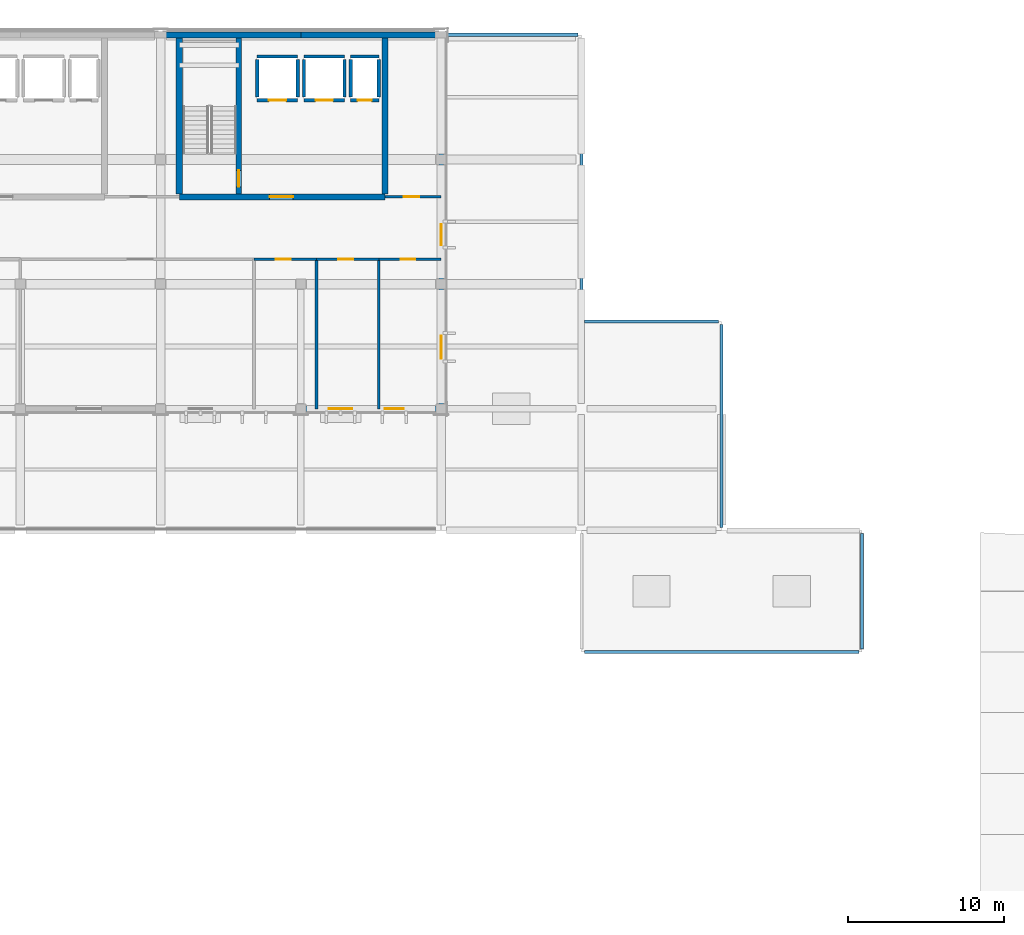
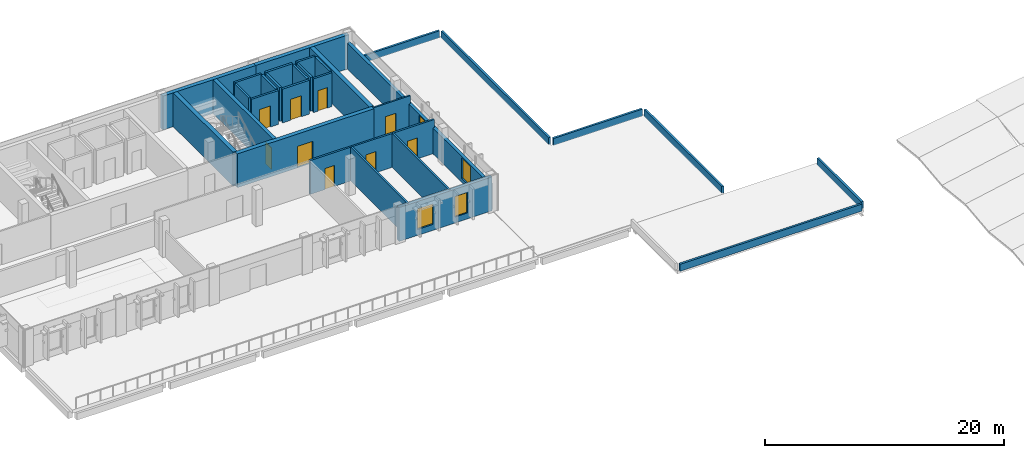
# One storey, part 13 of 23: 32 walls, 9 doors, 4 windows, 13 openings.
"""IFC4 building model written with IfcOpenShell, lengths in metres."""

from ifc_helpers import new_model, si_unit, direction, frame, frame_2d, origin, place, context, subcontext, project, spatial, rectangle, extrude, material, layer, layer_set, type_object, element, fill, save


model = new_model("IFC4")

# Units and contexts
model_context = context("Model", 3, precision=1e-05, world=origin(), true_north=direction((0.0, 1.0)))
body_context = subcontext(model_context, "Body", "Model", "MODEL_VIEW")
ifc_project = project(units=[si_unit("LENGTHUNIT", "METRE"), si_unit("AREAUNIT", "SQUARE_METRE"), si_unit("VOLUMEUNIT", "CUBIC_METRE"), si_unit("PLANEANGLEUNIT", "RADIAN"), si_unit("MASSUNIT", "GRAM", prefix="KILO")], contexts=[model_context])

# Site, building, storey
site_placement = place(None, origin())
site = spatial("IfcSite", under=ifc_project, at=site_placement, CompositionType="ELEMENT")
building_placement = place(site_placement, origin())
building = spatial("IfcBuilding", under=site, at=building_placement, Name="Vervanel Yard Central Library", CompositionType="ELEMENT")
storey_placement = place(building_placement, frame((0.0, 0.0, 16.52001953125)))
storey = spatial("IfcBuildingStorey", under=building, at=storey_placement, Name="L04", CompositionType="ELEMENT", Elevation=16.52001953125)

# Wall, openings, windows
ifc_material_1 = material(Name="Precast concrete C45/55", Category="concrete")
ifc_layer_1 = layer(ifc_material_1, 0.300048828125, Category="concrete")
ifc_layer_set_1 = layer_set([ifc_layer_1], Name="Precast concrete C45/55")
wall_type_1 = type_object("IfcWallType", Name="Bush-Hammered Precast Cladding Wall 300", PredefinedType="SOLIDWALL", material=ifc_layer_set_1)
wall_1_placement = place(storey_placement, frame((81.0, 90.0, 0.0), z_axis=(0.0, 0.0, 1.0), x_axis=(0.0, 1.0, 0.0)))
wall_1 = element("IfcWall", 1, at=wall_1_placement, inside=storey, type_object=wall_type_1, Name="L04 Bush-Hammered Precast Cladding Wall 300 EWALL-L04-0071", PredefinedType="SOLIDWALL", context=body_context, shape_type="SweptSolid", body=[
    extrude(rectangle(XDim=24.0, YDim=0.300048828125, at=frame_2d((12.0, 0.0))), origin(), (0.0, 0.0, 1.0), 2.64990234375),
])
opening_1_placement = place(wall_1_placement, frame((3.199951171875, 0.0, 0.429931640625)))
opening_1 = element("IfcOpeningElement", 2, at=opening_1_placement, cuts=wall_1, Name="Opening WN-02", PredefinedType="OPENING", context=body_context, shape_type="SweptSolid", body=[
    extrude(rectangle(XDim=1.5, YDim=2.10009765625, at=frame_2d((0.75, 1.050048828125))), frame((0.0, 0.159912109375, 0.0), z_axis=(0.0, -1.0, 0.0), x_axis=(1.0, 0.0, 0.0)), (0.0, 0.0, 1.0), 0.320068359375),
])
opening_2_placement = place(wall_1_placement, frame((10.5, 0.0, 0.679931640625)))
opening_2 = element("IfcOpeningElement", 3, at=opening_2_placement, cuts=wall_1, Name="Opening WN-17", PredefinedType="OPENING", context=body_context, shape_type="SweptSolid", body=[
    extrude(rectangle(XDim=1.35009765625, YDim=1.85009765625, at=frame_2d((0.675048828125, 0.925048828125))), frame((0.0, 0.159912109375, 0.0), z_axis=(0.0, -1.0, 0.0), x_axis=(1.0, 0.0, 0.0)), (0.0, 0.0, 1.0), 0.320068359375),
])
ifc_material_2 = material(Name="Double low-E laminated solar-control glass", Category="glass")
window_type_1 = type_object("IfcWindowType", Name="Archive Office Window 1350x1850", PartitioningType="SINGLE_PANEL", PredefinedType="WINDOW", material=ifc_material_2)
window_1_placement = place(opening_2_placement, origin())
window_1 = element("IfcWindow", 4, at=window_1_placement, inside=storey, type_object=window_type_1, Name="L04 Archive Office Window 1350x1850 99", OverallHeight=1.85009765625, OverallWidth=1.35009765625, PartitioningType="SINGLE_PANEL", PredefinedType="WINDOW", context=body_context, shape_type="SweptSolid", body=[
    extrude(rectangle(XDim=1.35009765625, YDim=1.85009765625, at=frame_2d((0.675048828125, 0.925048828125))), frame((0.0, 0.030029296875, 0.0), z_axis=(0.0, -1.0, 0.0), x_axis=(1.0, 0.0, 0.0)), (0.0, 0.0, 1.0), 0.06005859375),
])
fill(opening_2, window_1)
window_type_2 = type_object("IfcWindowType", Name="Reading Bay Window 1500x2100", PartitioningType="SINGLE_PANEL", PredefinedType="WINDOW", material=ifc_material_2)
window_2_placement = place(opening_1_placement, origin())
window_2 = element("IfcWindow", 5, at=window_2_placement, inside=storey, type_object=window_type_2, Name="L04 Reading Bay Window 1500x2100 98", OverallHeight=2.10009765625, OverallWidth=1.5, PartitioningType="SINGLE_PANEL", PredefinedType="WINDOW", context=body_context, shape_type="SweptSolid", body=[
    extrude(rectangle(XDim=1.5, YDim=2.10009765625, at=frame_2d((0.75, 1.050048828125))), frame((0.0, 0.030029296875, 0.0), z_axis=(0.0, -1.0, 0.0), x_axis=(1.0, 0.0, 0.0)), (0.0, 0.0, 1.0), 0.06005859375),
])
fill(opening_1, window_2)

# Wall, opening, door
ifc_material_3 = material(Name="Concrete C45/55", Category="concrete")
ifc_layer_2 = layer(ifc_material_3, 0.39990234375, Category="concrete")
ifc_layer_set_2 = layer_set([ifc_layer_2], Name="Concrete C45/55")
wall_type_2 = type_object("IfcWallType", Name="Core Primary Shear Wall 400", PredefinedType="SHEAR", material=ifc_layer_set_2)
wall_2_placement = place(storey_placement, frame((64.199951171875, 103.60009765625, 0.0), z_axis=(0.0, 0.0, 1.0), x_axis=(1.0, 0.0, 0.0)))
wall_2 = element("IfcWall", 6, at=wall_2_placement, inside=storey, type_object=wall_type_2, Name="L04 CORE-B Shear Wall S", PredefinedType="SHEAR", context=body_context, shape_type="SweptSolid", body=[
    extrude(rectangle(XDim=13.199951171875, YDim=0.39990234375, at=frame_2d((6.60009765625, 0.0))), origin(), (0.0, 0.0, 1.0), 3.4599609375),
])
opening_3_placement = place(wall_2_placement, frame((5.800048828125, 0.0, 0.0)))
opening_3 = element("IfcOpeningElement", 7, at=opening_3_placement, cuts=wall_2, Name="Opening DR-F02", PredefinedType="OPENING", context=body_context, shape_type="SweptSolid", body=[
    extrude(rectangle(XDim=1.5, YDim=2.199951171875, at=frame_2d((0.75, 1.10009765625))), frame((0.0, 0.2099609375, 0.0), z_axis=(0.0, -1.0, 0.0), x_axis=(1.0, 0.0, 0.0)), (0.0, 0.0, 1.0), 0.419921875),
])
ifc_material_4 = material(Name="Galvanized painted steelwork ASTM A500 Grade C", Category="steel")
door_type_1 = type_object("IfcDoorType", Name="Fire-Rated Lobby Door 1500x2200", OperationType="NOTDEFINED", PredefinedType="DOOR", material=ifc_material_4)
door_1_placement = place(opening_3_placement, origin())
door_1 = element("IfcDoor", 8, at=door_1_placement, inside=storey, type_object=door_type_1, Name="L04 CORE-B Lobby Fire Door", OperationType="DOUBLE_DOOR_SINGLE_SWING", OverallHeight=2.199951171875, OverallWidth=1.5, PredefinedType="DOOR", context=body_context, shape_type="SweptSolid", body=[
    extrude(rectangle(XDim=1.5, YDim=2.199951171875, at=frame_2d((0.75, 1.10009765625))), frame((0.0, 0.02490234375, 0.0), z_axis=(0.0, -1.0, 0.0), x_axis=(1.0, 0.0, 0.0)), (0.0, 0.0, 1.0), 0.050048828125),
])
fill(opening_3, door_1)

# Walls
for number, where, z_axis, x_axis, name in (
    (9, (64.199951171875, 103.800048828125, 0.0), (0.0, 0.0, 1.0), (0.0, 1.0, 0.0), "L04 CORE-B Shear Wall W"),
    (10, (77.39990234375, 103.800048828125, 0.0), (0.0, 0.0, 1.0), (0.0, 1.0, 0.0), "L04 CORE-B Shear Wall E"),
):
    element("IfcWall", number, at=place(storey_placement, frame(where, z_axis=z_axis, x_axis=x_axis)), inside=storey, type_object=wall_type_2, Name=name, PredefinedType="SHEAR", context=body_context, shape_type="SweptSolid", body=[
        extrude(rectangle(XDim=10.010009765625, YDim=0.39990234375, at=frame_2d((5.0048828125, 0.0))), origin(), (0.0, 0.0, 1.0), 3.4599609375),
    ])

# Wall, opening, door
ifc_layer_3 = layer(ifc_material_3, 0.35009765625, Category="concrete")
ifc_layer_set_3 = layer_set([ifc_layer_3], Name="Concrete C45/55")
wall_type_3 = type_object("IfcWallType", Name="Core Secondary Shear Wall 350", PredefinedType="SHEAR", material=ifc_layer_set_3)
wall_3_placement = place(storey_placement, frame((68.02490234375, 103.800048828125, 0.0), z_axis=(0.0, 0.0, 1.0), x_axis=(0.0, 1.0, 0.0)))
wall_3 = element("IfcWall", 11, at=wall_3_placement, inside=storey, type_object=wall_type_3, Name="L04 CORE-B Stair Shaft Wall", PredefinedType="SHEAR", context=body_context, shape_type="SweptSolid", body=[
    extrude(rectangle(XDim=10.010009765625, YDim=0.35009765625, at=frame_2d((5.0048828125, 0.0))), origin(), (0.0, 0.0, 1.0), 3.4599609375),
])
opening_4_placement = place(wall_3_placement, frame((0.449951171875, 0.0, 0.0)))
opening_4 = element("IfcOpeningElement", 12, at=opening_4_placement, cuts=wall_3, Name="Opening DR-F01", PredefinedType="OPENING", context=body_context, shape_type="SweptSolid", body=[
    extrude(rectangle(XDim=1.050048828125, YDim=2.199951171875, at=frame_2d((0.52490234375, 1.10009765625))), frame((0.0, 0.18505859375, 0.0), z_axis=(0.0, -1.0, 0.0), x_axis=(1.0, 0.0, 0.0)), (0.0, 0.0, 1.0), 0.3701171875),
])
door_type_2 = type_object("IfcDoorType", Name="Fire-Rated Stair Exit Door 1050x2200", OperationType="NOTDEFINED", PredefinedType="DOOR", material=ifc_material_4)
door_2_placement = place(opening_4_placement, origin())
door_2 = element("IfcDoor", 13, at=door_2_placement, inside=storey, type_object=door_type_2, Name="L04 CORE-B Stair Door", OperationType="SINGLE_SWING_LEFT", OverallHeight=2.199951171875, OverallWidth=1.050048828125, PredefinedType="DOOR", context=body_context, shape_type="SweptSolid", body=[
    extrude(rectangle(XDim=1.050048828125, YDim=2.199951171875, at=frame_2d((0.52490234375, 1.10009765625))), frame((0.0, 0.02490234375, 0.0), z_axis=(0.0, -1.0, 0.0), x_axis=(1.0, 0.0, 0.0)), (0.0, 0.0, 1.0), 0.050048828125),
])
fill(opening_4, door_2)

# Wall, openings, windows
ifc_layer_4 = layer(ifc_material_3, 0.340087890625, Category="concrete")
ifc_layer_set_4 = layer_set([ifc_layer_4], Name="Concrete C45/55")
wall_type_4 = type_object("IfcWallType", Name="Exterior Bearing Concrete Frame Wall 340", PredefinedType="SOLIDWALL", material=ifc_layer_set_4)
wall_4_placement = place(storey_placement, frame((72.0, 90.0, 0.0), z_axis=(0.0, 0.0, 1.0), x_axis=(1.0, 0.0, 0.0)))
wall_4 = element("IfcWall", 14, at=wall_4_placement, inside=storey, type_object=wall_type_4, Name="L04 Exterior Bearing Concrete Frame Wall 340 EWALL-L04-0069", PredefinedType="SOLIDWALL", context=body_context, shape_type="SweptSolid", body=[
    extrude(rectangle(XDim=9.0, YDim=0.340087890625, at=frame_2d((4.5, 0.0))), origin(), (0.0, 0.0, 1.0), 3.4599609375),
])
opening_5_placement = place(wall_4_placement, frame((1.800048828125, 0.0, 0.610107421875)))
opening_5 = element("IfcOpeningElement", 15, at=opening_5_placement, cuts=wall_4, Name="Opening WN-02", PredefinedType="OPENING", context=body_context, shape_type="SweptSolid", body=[
    extrude(rectangle(XDim=1.5, YDim=2.10009765625, at=frame_2d((0.75, 1.050048828125))), frame((0.0, 0.179931640625, 0.0), z_axis=(0.0, -1.0, 0.0), x_axis=(1.0, 0.0, 0.0)), (0.0, 0.0, 1.0), 0.360107421875),
])
opening_6_placement = place(wall_4_placement, frame((5.39990234375, 0.0, 0.610107421875)))
opening_6 = element("IfcOpeningElement", 16, at=opening_6_placement, cuts=wall_4, Name="Opening WN-01", PredefinedType="OPENING", context=body_context, shape_type="SweptSolid", body=[
    extrude(rectangle(XDim=1.199951171875, YDim=2.10009765625, at=frame_2d((0.60009765625, 1.050048828125))), frame((0.0, 0.179931640625, 0.0), z_axis=(0.0, -1.0, 0.0), x_axis=(1.0, 0.0, 0.0)), (0.0, 0.0, 1.0), 0.360107421875),
])
window_3_placement = place(opening_5_placement, origin())
window_3 = element("IfcWindow", 17, at=window_3_placement, inside=storey, type_object=window_type_2, Name="L04 Reading Bay Window 1500x2100 93", OverallHeight=2.10009765625, OverallWidth=1.5, PartitioningType="SINGLE_PANEL", PredefinedType="WINDOW", context=body_context, shape_type="SweptSolid", body=[
    extrude(rectangle(XDim=1.5, YDim=2.10009765625, at=frame_2d((0.75, 1.050048828125))), frame((0.0, 0.030029296875, 0.0), z_axis=(0.0, -1.0, 0.0), x_axis=(1.0, 0.0, 0.0)), (0.0, 0.0, 1.0), 0.06005859375),
])
fill(opening_5, window_3)
window_type_3 = type_object("IfcWindowType", Name="Reading Slot Window 1200x2100", PartitioningType="SINGLE_PANEL", PredefinedType="WINDOW", material=ifc_material_2)
window_4_placement = place(opening_6_placement, origin())
window_4 = element("IfcWindow", 18, at=window_4_placement, inside=storey, type_object=window_type_3, Name="L04 Reading Slot Window 1200x2100 94", OverallHeight=2.10009765625, OverallWidth=1.199951171875, PartitioningType="SINGLE_PANEL", PredefinedType="WINDOW", context=body_context, shape_type="SweptSolid", body=[
    extrude(rectangle(XDim=1.199951171875, YDim=2.10009765625, at=frame_2d((0.60009765625, 1.050048828125))), frame((0.0, 0.030029296875, 0.0), z_axis=(0.0, -1.0, 0.0), x_axis=(1.0, 0.0, 0.0)), (0.0, 0.0, 1.0), 0.06005859375),
])
fill(opening_6, window_4)

# Walls
ifc_layer_5 = layer(ifc_material_3, 0.3798828125, Category="concrete")
ifc_layer_set_5 = layer_set([ifc_layer_5], Name="Concrete C45/55")
wall_type_5 = type_object("IfcWallType", Name="Exterior Bearing Concrete Spine Wall 380", PredefinedType="SOLIDWALL", material=ifc_layer_set_5)
for number, where, z_axis, x_axis, name in (
    (19, (63.0, 114.0, 0.0), (0.0, 0.0, 1.0), (1.0, 0.0, 0.0), "L04 Exterior Bearing Concrete Spine Wall 380 EWALL-L04-0063"),
    (20, (72.0, 114.0, 0.0), (0.0, 0.0, 1.0), (1.0, 0.0, 0.0), "L04 Exterior Bearing Concrete Spine Wall 380 EWALL-L04-0064"),
):
    element("IfcWall", number, at=place(storey_placement, frame(where, z_axis=z_axis, x_axis=x_axis)), inside=storey, type_object=wall_type_5, Name=name, PredefinedType="SOLIDWALL", context=body_context, shape_type="SweptSolid", body=[
        extrude(rectangle(XDim=9.0, YDim=0.3798828125, at=frame_2d((4.5, 0.0))), origin(), (0.0, 0.0, 1.0), 3.4599609375),
    ])

# Wall, opening, door
ifc_material_5 = material(Name="Fire-rated gypsum board on steel studs", Category="steel")
ifc_layer_6 = layer(ifc_material_5, 0.14990234375, Category="steel")
ifc_layer_set_6 = layer_set([ifc_layer_6], Name="Fire-rated gypsum board on steel studs")
wall_type_6 = type_object("IfcWallType", Name="Interior Partition 150", PredefinedType="PARTITIONING", material=ifc_layer_set_6)
wall_5_placement = place(storey_placement, frame((77.39990234375, 103.60009765625, 0.0), z_axis=(0.0, 0.0, 1.0), x_axis=(1.0, 0.0, 0.0)))
wall_5 = element("IfcWall", 21, at=wall_5_placement, inside=storey, type_object=wall_type_6, Name="L04 Interior Partition 150 IPART-L04-0119", PredefinedType="PARTITIONING", context=body_context, shape_type="SweptSolid", body=[
    extrude(rectangle(XDim=3.60009765625, YDim=0.14990234375, at=frame_2d((1.800048828125, 0.0))), origin(), (0.0, 0.0, 1.0), 3.4599609375),
])
opening_7_placement = place(wall_5_placement, frame((1.199951171875, 0.0, 0.0)))
opening_7 = element("IfcOpeningElement", 22, at=opening_7_placement, cuts=wall_5, Name="Opening DR-01", PredefinedType="OPENING", context=body_context, shape_type="SweptSolid", body=[
    extrude(rectangle(XDim=1.0, YDim=2.14990234375, at=frame_2d((0.5, 1.074951171875))), frame((0.0, 0.0849609375, 0.0), z_axis=(0.0, -1.0, 0.0), x_axis=(1.0, 0.0, 0.0)), (0.0, 0.0, 1.0), 0.169921875),
])
ifc_material_6 = material(Name="Solid white oak acoustic joinery", Category="wood")
door_type_3 = type_object("IfcDoorType", Name="Interior Single Door 1000x2150", OperationType="NOTDEFINED", PredefinedType="DOOR", material=ifc_material_6)
door_3_placement = place(opening_7_placement, origin())
door_3 = element("IfcDoor", 23, at=door_3_placement, inside=storey, type_object=door_type_3, Name="L04 Interior Single Door 1000x2150 IDOOR-L04-0092", OperationType="SINGLE_SWING_RIGHT", OverallHeight=2.14990234375, OverallWidth=1.0, PredefinedType="DOOR", context=body_context, shape_type="SweptSolid", body=[
    extrude(rectangle(XDim=1.0, YDim=2.14990234375, at=frame_2d((0.5, 1.074951171875))), frame((0.0, 0.02490234375, 0.0), z_axis=(0.0, -1.0, 0.0), x_axis=(1.0, 0.0, 0.0)), (0.0, 0.0, 1.0), 0.050048828125),
])
fill(opening_7, door_3)

ifc_layer_7 = layer(ifc_material_5, 0.179931640625, Category="steel")
ifc_layer_set_7 = layer_set([ifc_layer_7], Name="Fire-rated gypsum board on steel studs")
wall_type_7 = type_object("IfcWallType", Name="Plumbing Chase Wall 180", PredefinedType="PLUMBINGWALL", material=ifc_layer_set_7)
wall_6_placement = place(storey_placement, frame((69.0, 99.60009765625, 0.0), z_axis=(0.0, 0.0, 1.0), x_axis=(1.0, 0.0, 0.0)))
wall_6 = element("IfcWall", 24, at=wall_6_placement, inside=storey, type_object=wall_type_7, Name="L04 Plumbing Chase Wall 180 IPART-L04-0111", PredefinedType="PLUMBINGWALL", context=body_context, shape_type="SweptSolid", body=[
    extrude(rectangle(XDim=4.0, YDim=0.179931640625, at=frame_2d((2.0, 0.0))), origin(), (0.0, 0.0, 1.0), 3.4599609375),
])
opening_8_placement = place(wall_6_placement, frame((1.39990234375, 0.0, 0.0)))
opening_8 = element("IfcOpeningElement", 25, at=opening_8_placement, cuts=wall_6, Name="Opening DR-02", PredefinedType="OPENING", context=body_context, shape_type="SweptSolid", body=[
    extrude(rectangle(XDim=0.949951171875, YDim=2.14990234375, at=frame_2d((0.47509765625, 1.074951171875))), frame((0.0, 0.099853515625, 0.0), z_axis=(0.0, -1.0, 0.0), x_axis=(1.0, 0.0, 0.0)), (0.0, 0.0, 1.0), 0.199951171875),
])
door_type_4 = type_object("IfcDoorType", Name="Interior Accessible Restroom Door 950x2150", OperationType="NOTDEFINED", PredefinedType="DOOR", material=ifc_material_6)
door_4_placement = place(opening_8_placement, origin())
door_4 = element("IfcDoor", 26, at=door_4_placement, inside=storey, type_object=door_type_4, Name="L04 Interior Accessible Restroom Door 950x2150 IDOOR-L04-0087", OperationType="SINGLE_SWING_LEFT", OverallHeight=2.14990234375, OverallWidth=0.949951171875, PredefinedType="DOOR", context=body_context, shape_type="SweptSolid", body=[
    extrude(rectangle(XDim=0.949951171875, YDim=2.14990234375, at=frame_2d((0.47509765625, 1.074951171875))), frame((0.0, 0.02490234375, 0.0), z_axis=(0.0, -1.0, 0.0), x_axis=(1.0, 0.0, 0.0)), (0.0, 0.0, 1.0), 0.050048828125),
])
fill(opening_8, door_4)

wall_7_placement = place(storey_placement, frame((73.0, 99.60009765625, 0.0), z_axis=(0.0, 0.0, 1.0), x_axis=(1.0, 0.0, 0.0)))
wall_7 = element("IfcWall", 27, at=wall_7_placement, inside=storey, type_object=wall_type_7, Name="L04 Plumbing Chase Wall 180 IPART-L04-0113", PredefinedType="PLUMBINGWALL", context=body_context, shape_type="SweptSolid", body=[
    extrude(rectangle(XDim=4.0, YDim=0.179931640625, at=frame_2d((2.0, 0.0))), origin(), (0.0, 0.0, 1.0), 3.4599609375),
])
opening_9_placement = place(wall_7_placement, frame((1.39990234375, 0.0, 0.0)))
opening_9 = element("IfcOpeningElement", 28, at=opening_9_placement, cuts=wall_7, Name="Opening DR-02", PredefinedType="OPENING", context=body_context, shape_type="SweptSolid", body=[
    extrude(rectangle(XDim=0.949951171875, YDim=2.14990234375, at=frame_2d((0.47509765625, 1.074951171875))), frame((0.0, 0.099853515625, 0.0), z_axis=(0.0, -1.0, 0.0), x_axis=(1.0, 0.0, 0.0)), (0.0, 0.0, 1.0), 0.199951171875),
])
door_5_placement = place(opening_9_placement, origin())
door_5 = element("IfcDoor", 29, at=door_5_placement, inside=storey, type_object=door_type_4, Name="L04 Interior Accessible Restroom Door 950x2150 IDOOR-L04-0088", OperationType="SINGLE_SWING_RIGHT", OverallHeight=2.14990234375, OverallWidth=0.949951171875, PredefinedType="DOOR", context=body_context, shape_type="SweptSolid", body=[
    extrude(rectangle(XDim=0.949951171875, YDim=2.14990234375, at=frame_2d((0.47509765625, 1.074951171875))), frame((0.0, 0.02490234375, 0.0), z_axis=(0.0, -1.0, 0.0), x_axis=(1.0, 0.0, 0.0)), (0.0, 0.0, 1.0), 0.050048828125),
])
fill(opening_9, door_5)

# Wall
wall_8_placement = place(storey_placement, frame((73.0, 90.0, 0.0), z_axis=(0.0, 0.0, 1.0), x_axis=(0.0, 1.0, 0.0)))
element("IfcWall", 30, at=wall_8_placement, inside=storey, type_object=wall_type_7, Name="L04 Plumbing Chase Wall 180 IPART-L04-0114", PredefinedType="PLUMBINGWALL", context=body_context, shape_type="SweptSolid", body=[
    extrude(rectangle(XDim=9.60009765625, YDim=0.179931640625, at=frame_2d((4.800048828125, 0.0))), origin(), (0.0, 0.0, 1.0), 3.4599609375),
])

# Wall, opening, door
wall_9_placement = place(storey_placement, frame((77.0, 99.60009765625, 0.0), z_axis=(0.0, 0.0, 1.0), x_axis=(1.0, 0.0, 0.0)))
wall_9 = element("IfcWall", 31, at=wall_9_placement, inside=storey, type_object=wall_type_7, Name="L04 Plumbing Chase Wall 180 IPART-L04-0115", PredefinedType="PLUMBINGWALL", context=body_context, shape_type="SweptSolid", body=[
    extrude(rectangle(XDim=4.0, YDim=0.179931640625, at=frame_2d((2.0, 0.0))), origin(), (0.0, 0.0, 1.0), 3.4599609375),
])
opening_10_placement = place(wall_9_placement, frame((1.39990234375, 0.0, 0.0)))
opening_10 = element("IfcOpeningElement", 32, at=opening_10_placement, cuts=wall_9, Name="Opening DR-02", PredefinedType="OPENING", context=body_context, shape_type="SweptSolid", body=[
    extrude(rectangle(XDim=0.949951171875, YDim=2.14990234375, at=frame_2d((0.47509765625, 1.074951171875))), frame((0.0, 0.099853515625, 0.0), z_axis=(0.0, -1.0, 0.0), x_axis=(1.0, 0.0, 0.0)), (0.0, 0.0, 1.0), 0.199951171875),
])
door_6_placement = place(opening_10_placement, origin())
door_6 = element("IfcDoor", 33, at=door_6_placement, inside=storey, type_object=door_type_4, Name="L04 Interior Accessible Restroom Door 950x2150 IDOOR-L04-0089", OperationType="SINGLE_SWING_LEFT", OverallHeight=2.14990234375, OverallWidth=0.949951171875, PredefinedType="DOOR", context=body_context, shape_type="SweptSolid", body=[
    extrude(rectangle(XDim=0.949951171875, YDim=2.14990234375, at=frame_2d((0.47509765625, 1.074951171875))), frame((0.0, 0.02490234375, 0.0), z_axis=(0.0, -1.0, 0.0), x_axis=(1.0, 0.0, 0.0)), (0.0, 0.0, 1.0), 0.050048828125),
])
fill(opening_10, door_6)

# Walls
wall_10_placement = place(storey_placement, frame((77.0, 90.0, 0.0), z_axis=(0.0, 0.0, 1.0), x_axis=(0.0, 1.0, 0.0)))
element("IfcWall", 34, at=wall_10_placement, inside=storey, type_object=wall_type_7, Name="L04 Plumbing Chase Wall 180 IPART-L04-0116", PredefinedType="PLUMBINGWALL", context=body_context, shape_type="SweptSolid", body=[
    extrude(rectangle(XDim=9.60009765625, YDim=0.179931640625, at=frame_2d((4.800048828125, 0.0))), origin(), (0.0, 0.0, 1.0), 3.4599609375),
])
ifc_material_7 = material(Name="Concrete C40/50", Category="concrete")
ifc_layer_8 = layer(ifc_material_7, 0.199951171875, Category="concrete")
ifc_layer_set_8 = layer_set([ifc_layer_8], Name="Concrete C40/50")
wall_type_8 = type_object("IfcWallType", Name="Setback Roof Concrete Parapet 200", PredefinedType="PARAPET", material=ifc_layer_set_8)
wall_11_placement = place(storey_placement, frame((99.0, 82.39990234375, 0.0), z_axis=(0.0, 0.0, 1.0), x_axis=(0.0, 1.0, 0.0)))
element("IfcWall", 35, at=wall_11_placement, inside=storey, type_object=wall_type_8, Name="L04 Roof Parapet 19", PredefinedType="PARAPET", context=body_context, shape_type="SweptSolid", body=[
    extrude(rectangle(XDim=13.0, YDim=0.199951171875, at=frame_2d((6.5, 0.0))), origin(), (0.0, 0.0, 1.0), 0.719970703125),
])
wall_12_placement = place(storey_placement, frame((98.800048828125, 95.60009765625, 0.0), z_axis=(0.0, 0.0, 1.0), x_axis=(-1.0, 0.0, 0.0)))
element("IfcWall", 36, at=wall_12_placement, inside=storey, type_object=wall_type_8, Name="L04 Roof Parapet 20", PredefinedType="PARAPET", context=body_context, shape_type="SweptSolid", body=[
    extrude(rectangle(XDim=8.60009765625, YDim=0.199951171875, at=frame_2d((4.300048828125, 0.0))), origin(), (0.0, 0.0, 1.0), 0.719970703125),
])
wall_13_placement = place(storey_placement, frame((90.0, 95.800048828125, 0.0), z_axis=(0.0, 0.0, 1.0), x_axis=(0.0, 1.0, 0.0)))
element("IfcWall", 37, at=wall_13_placement, inside=storey, type_object=wall_type_8, Name="L04 Roof Parapet 21", PredefinedType="PARAPET", context=body_context, shape_type="SweptSolid", body=[
    extrude(rectangle(XDim=18.0, YDim=0.199951171875, at=frame_2d((9.0, 0.0))), origin(), (0.0, 0.0, 1.0), 0.719970703125),
])
wall_14_placement = place(storey_placement, frame((89.800048828125, 114.0, 0.0), z_axis=(0.0, 0.0, 1.0), x_axis=(-1.0, 0.0, 0.0)))
element("IfcWall", 38, at=wall_14_placement, inside=storey, type_object=wall_type_8, Name="L04 Roof Parapet 22", PredefinedType="PARAPET", context=body_context, shape_type="SweptSolid", body=[
    extrude(rectangle(XDim=8.60009765625, YDim=0.199951171875, at=frame_2d((4.300048828125, 0.0))), origin(), (0.0, 0.0, 1.0), 0.719970703125),
])
wall_15_placement = place(storey_placement, frame((90.199951171875, 74.39990234375, 0.0), z_axis=(0.0, 0.0, 1.0), x_axis=(1.0, 0.0, 0.0)))
element("IfcWall", 39, at=wall_15_placement, inside=storey, type_object=wall_type_8, Name="L04 Roof Parapet 27", PredefinedType="PARAPET", context=body_context, shape_type="SweptSolid", body=[
    extrude(rectangle(XDim=17.60009765625, YDim=0.199951171875, at=frame_2d((8.800048828125, 0.0))), origin(), (0.0, 0.0, 1.0), 0.719970703125),
])
wall_16_placement = place(storey_placement, frame((108.0, 74.60009765625, 0.0), z_axis=(0.0, 0.0, 1.0), x_axis=(0.0, 1.0, 0.0)))
element("IfcWall", 40, at=wall_16_placement, inside=storey, type_object=wall_type_8, Name="L04 Roof Parapet 28", PredefinedType="PARAPET", context=body_context, shape_type="SweptSolid", body=[
    extrude(rectangle(XDim=7.39990234375, YDim=0.199951171875, at=frame_2d((3.699951171875, 0.0))), origin(), (0.0, 0.0, 1.0), 0.719970703125),
])

# Wall, opening, door
ifc_layer_9 = layer(ifc_material_7, 0.199951171875, Category="concrete")
ifc_layer_set_9 = layer_set([ifc_layer_9], Name="Concrete C40/50")
wall_type_9 = type_object("IfcWallType", Name="Shaft & Plant Rated Wall 200", PredefinedType="PARTITIONING", material=ifc_layer_set_9)
wall_17_placement = place(storey_placement, frame((69.199951171875, 109.800048828125, 0.0), z_axis=(0.0, 0.0, 1.0), x_axis=(1.0, 0.0, 0.0)))
wall_17 = element("IfcWall", 41, at=wall_17_placement, inside=storey, type_object=wall_type_9, Name="L04 CORE-B-L04-EL-03 Shaft Wall S", PredefinedType="PARTITIONING", context=body_context, shape_type="SweptSolid", body=[
    extrude(rectangle(XDim=2.60009765625, YDim=0.199951171875, at=frame_2d((1.300048828125, 0.0))), origin(), (0.0, 0.0, 1.0), 3.4599609375),
])
opening_11_placement = place(wall_17_placement, frame((0.75, 0.0, 0.0)))
opening_11 = element("IfcOpeningElement", 42, at=opening_11_placement, cuts=wall_17, Name="Opening LD-01", PredefinedType="OPENING", context=body_context, shape_type="SweptSolid", body=[
    extrude(rectangle(XDim=1.10009765625, YDim=2.14990234375, at=frame_2d((0.550048828125, 1.074951171875))), frame((0.0, 0.10986328125, 0.0), z_axis=(0.0, -1.0, 0.0), x_axis=(1.0, 0.0, 0.0)), (0.0, 0.0, 1.0), 0.219970703125),
])
ifc_material_8 = material(Name="Brushed stainless steel AISI 316", Category="steel")
door_type_5 = type_object("IfcDoorType", Name="Passenger Lift Sliding Landing Door 1100x2150", OperationType="NOTDEFINED", PredefinedType="DOOR", material=ifc_material_8)
door_7_placement = place(opening_11_placement, origin())
door_7 = element("IfcDoor", 43, at=door_7_placement, inside=storey, type_object=door_type_5, Name="L04 Lift EL-03 Landing Door", OperationType="SLIDING_TO_LEFT", OverallHeight=2.14990234375, OverallWidth=1.10009765625, PredefinedType="DOOR", context=body_context, shape_type="SweptSolid", body=[
    extrude(rectangle(XDim=1.10009765625, YDim=2.14990234375, at=frame_2d((0.550048828125, 1.074951171875))), frame((0.0, 0.02490234375, 0.0), z_axis=(0.0, -1.0, 0.0), x_axis=(1.0, 0.0, 0.0)), (0.0, 0.0, 1.0), 0.050048828125),
])
fill(opening_11, door_7)

# Walls
wall_18_placement = place(storey_placement, frame((69.199951171875, 112.60009765625, 0.0), z_axis=(0.0, 0.0, 1.0), x_axis=(1.0, 0.0, 0.0)))
element("IfcWall", 44, at=wall_18_placement, inside=storey, type_object=wall_type_9, Name="L04 CORE-B-L04-EL-03 Shaft Wall N", PredefinedType="PARTITIONING", context=body_context, shape_type="SweptSolid", body=[
    extrude(rectangle(XDim=2.60009765625, YDim=0.199951171875, at=frame_2d((1.300048828125, 0.0))), origin(), (0.0, 0.0, 1.0), 3.4599609375),
])
for number, where, z_axis, x_axis, name in (
    (45, (69.199951171875, 110.0, 0.0), (0.0, 0.0, 1.0), (0.0, 1.0, 0.0), "L04 CORE-B-L04-EL-03 Shaft Wall W"),
    (46, (71.800048828125, 110.0, 0.0), (0.0, 0.0, 1.0), (0.0, 1.0, 0.0), "L04 CORE-B-L04-EL-03 Shaft Wall E"),
):
    element("IfcWall", number, at=place(storey_placement, frame(where, z_axis=z_axis, x_axis=x_axis)), inside=storey, type_object=wall_type_9, Name=name, PredefinedType="PARTITIONING", context=body_context, shape_type="SweptSolid", body=[
        extrude(rectangle(XDim=2.39990234375, YDim=0.199951171875, at=frame_2d((1.199951171875, 0.0))), origin(), (0.0, 0.0, 1.0), 3.4599609375),
    ])

# Wall, opening, door
wall_19_placement = place(storey_placement, frame((72.199951171875, 109.800048828125, 0.0), z_axis=(0.0, 0.0, 1.0), x_axis=(1.0, 0.0, 0.0)))
wall_19 = element("IfcWall", 47, at=wall_19_placement, inside=storey, type_object=wall_type_9, Name="L04 CORE-B-L04-EL-04 Shaft Wall S", PredefinedType="PARTITIONING", context=body_context, shape_type="SweptSolid", body=[
    extrude(rectangle(XDim=2.60009765625, YDim=0.199951171875, at=frame_2d((1.300048828125, 0.0))), origin(), (0.0, 0.0, 1.0), 3.4599609375),
])
opening_12_placement = place(wall_19_placement, frame((0.75, 0.0, 0.0)))
opening_12 = element("IfcOpeningElement", 48, at=opening_12_placement, cuts=wall_19, Name="Opening LD-01", PredefinedType="OPENING", context=body_context, shape_type="SweptSolid", body=[
    extrude(rectangle(XDim=1.10009765625, YDim=2.14990234375, at=frame_2d((0.550048828125, 1.074951171875))), frame((0.0, 0.10986328125, 0.0), z_axis=(0.0, -1.0, 0.0), x_axis=(1.0, 0.0, 0.0)), (0.0, 0.0, 1.0), 0.219970703125),
])
door_8_placement = place(opening_12_placement, origin())
door_8 = element("IfcDoor", 49, at=door_8_placement, inside=storey, type_object=door_type_5, Name="L04 Lift EL-04 Landing Door", OperationType="SLIDING_TO_RIGHT", OverallHeight=2.14990234375, OverallWidth=1.10009765625, PredefinedType="DOOR", context=body_context, shape_type="SweptSolid", body=[
    extrude(rectangle(XDim=1.10009765625, YDim=2.14990234375, at=frame_2d((0.550048828125, 1.074951171875))), frame((0.0, 0.02490234375, 0.0), z_axis=(0.0, -1.0, 0.0), x_axis=(1.0, 0.0, 0.0)), (0.0, 0.0, 1.0), 0.050048828125),
])
fill(opening_12, door_8)

# Walls
wall_20_placement = place(storey_placement, frame((72.199951171875, 112.60009765625, 0.0), z_axis=(0.0, 0.0, 1.0), x_axis=(1.0, 0.0, 0.0)))
element("IfcWall", 50, at=wall_20_placement, inside=storey, type_object=wall_type_9, Name="L04 CORE-B-L04-EL-04 Shaft Wall N", PredefinedType="PARTITIONING", context=body_context, shape_type="SweptSolid", body=[
    extrude(rectangle(XDim=2.60009765625, YDim=0.199951171875, at=frame_2d((1.300048828125, 0.0))), origin(), (0.0, 0.0, 1.0), 3.4599609375),
])
for number, where, z_axis, x_axis, name in (
    (51, (72.199951171875, 110.0, 0.0), (0.0, 0.0, 1.0), (0.0, 1.0, 0.0), "L04 CORE-B-L04-EL-04 Shaft Wall W"),
    (52, (74.800048828125, 110.0, 0.0), (0.0, 0.0, 1.0), (0.0, 1.0, 0.0), "L04 CORE-B-L04-EL-04 Shaft Wall E"),
):
    element("IfcWall", number, at=place(storey_placement, frame(where, z_axis=z_axis, x_axis=x_axis)), inside=storey, type_object=wall_type_9, Name=name, PredefinedType="PARTITIONING", context=body_context, shape_type="SweptSolid", body=[
        extrude(rectangle(XDim=2.39990234375, YDim=0.199951171875, at=frame_2d((1.199951171875, 0.0))), origin(), (0.0, 0.0, 1.0), 3.4599609375),
    ])

# Wall, opening, door
wall_21_placement = place(storey_placement, frame((75.199951171875, 109.800048828125, 0.0), z_axis=(0.0, 0.0, 1.0), x_axis=(1.0, 0.0, 0.0)))
wall_21 = element("IfcWall", 53, at=wall_21_placement, inside=storey, type_object=wall_type_9, Name="L04 CORE-B-L04-RIS Shaft Wall S", PredefinedType="PARTITIONING", context=body_context, shape_type="SweptSolid", body=[
    extrude(rectangle(XDim=1.800048828125, YDim=0.199951171875, at=frame_2d((0.89990234375, 0.0))), origin(), (0.0, 0.0, 1.0), 3.4599609375),
])
opening_13_placement = place(wall_21_placement, frame((0.449951171875, 0.0, 0.0)))
opening_13 = element("IfcOpeningElement", 54, at=opening_13_placement, cuts=wall_21, Name="Opening DR-03", PredefinedType="OPENING", context=body_context, shape_type="SweptSolid", body=[
    extrude(rectangle(XDim=0.89990234375, YDim=2.10009765625, at=frame_2d((0.449951171875, 1.050048828125))), frame((0.0, 0.10986328125, 0.0), z_axis=(0.0, -1.0, 0.0), x_axis=(1.0, 0.0, 0.0)), (0.0, 0.0, 1.0), 0.219970703125),
])
door_type_6 = type_object("IfcDoorType", Name="Interior Riser Access Door 900x2100", OperationType="NOTDEFINED", PredefinedType="DOOR", material=ifc_material_4)
door_9_placement = place(opening_13_placement, origin())
door_9 = element("IfcDoor", 55, at=door_9_placement, inside=storey, type_object=door_type_6, Name="L04 CORE-B Riser Access Door", OperationType="SINGLE_SWING_RIGHT", OverallHeight=2.10009765625, OverallWidth=0.89990234375, PredefinedType="DOOR", context=body_context, shape_type="SweptSolid", body=[
    extrude(rectangle(XDim=0.89990234375, YDim=2.10009765625, at=frame_2d((0.449951171875, 1.050048828125))), frame((0.0, 0.02490234375, 0.0), z_axis=(0.0, -1.0, 0.0), x_axis=(1.0, 0.0, 0.0)), (0.0, 0.0, 1.0), 0.050048828125),
])
fill(opening_13, door_9)

# Walls
wall_22_placement = place(storey_placement, frame((75.199951171875, 112.60009765625, 0.0), z_axis=(0.0, 0.0, 1.0), x_axis=(1.0, 0.0, 0.0)))
element("IfcWall", 56, at=wall_22_placement, inside=storey, type_object=wall_type_9, Name="L04 CORE-B-L04-RIS Shaft Wall N", PredefinedType="PARTITIONING", context=body_context, shape_type="SweptSolid", body=[
    extrude(rectangle(XDim=1.800048828125, YDim=0.199951171875, at=frame_2d((0.89990234375, 0.0))), origin(), (0.0, 0.0, 1.0), 3.4599609375),
])
for number, where, z_axis, x_axis, name in (
    (57, (75.199951171875, 110.0, 0.0), (0.0, 0.0, 1.0), (0.0, 1.0, 0.0), "L04 CORE-B-L04-RIS Shaft Wall W"),
    (58, (77.0, 110.0, 0.0), (0.0, 0.0, 1.0), (0.0, 1.0, 0.0), "L04 CORE-B-L04-RIS Shaft Wall E"),
):
    element("IfcWall", number, at=place(storey_placement, frame(where, z_axis=z_axis, x_axis=x_axis)), inside=storey, type_object=wall_type_9, Name=name, PredefinedType="PARTITIONING", context=body_context, shape_type="SweptSolid", body=[
        extrude(rectangle(XDim=2.39990234375, YDim=0.199951171875, at=frame_2d((1.199951171875, 0.0))), origin(), (0.0, 0.0, 1.0), 3.4599609375),
    ])

save(model, "model.ifc")
